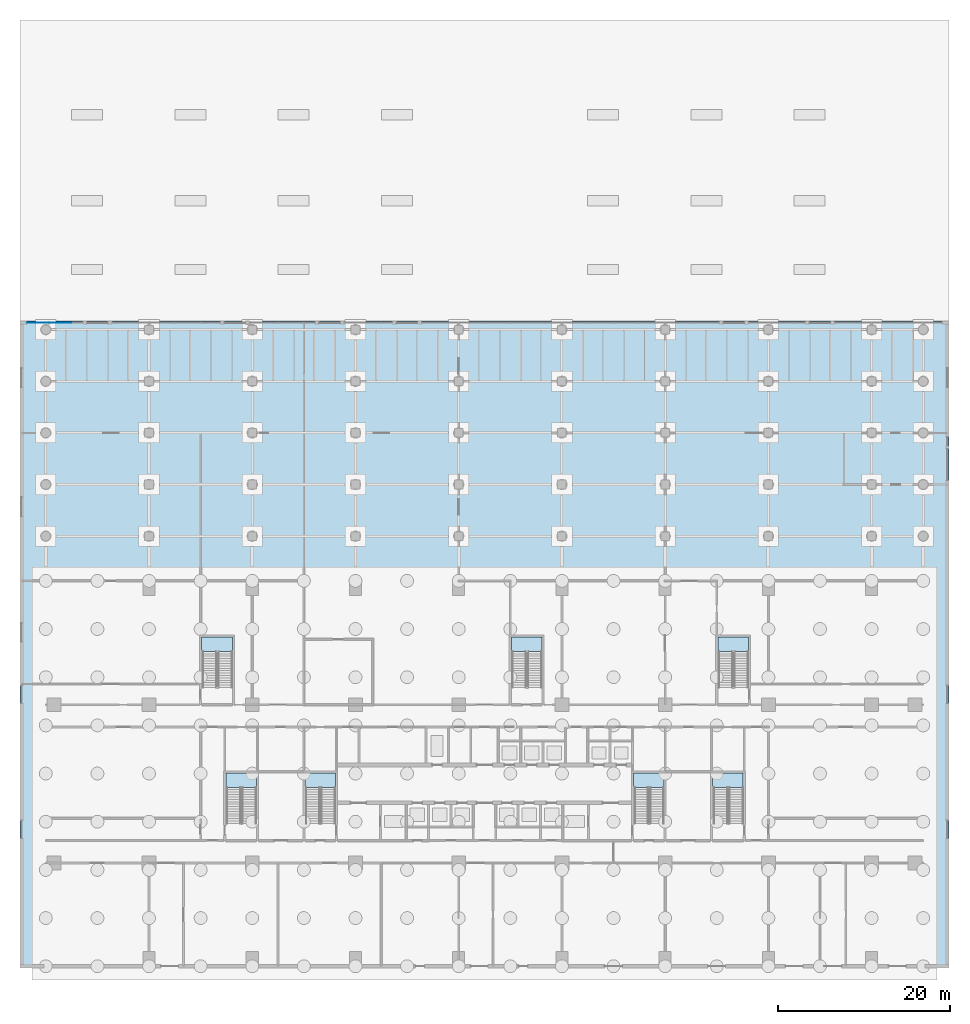
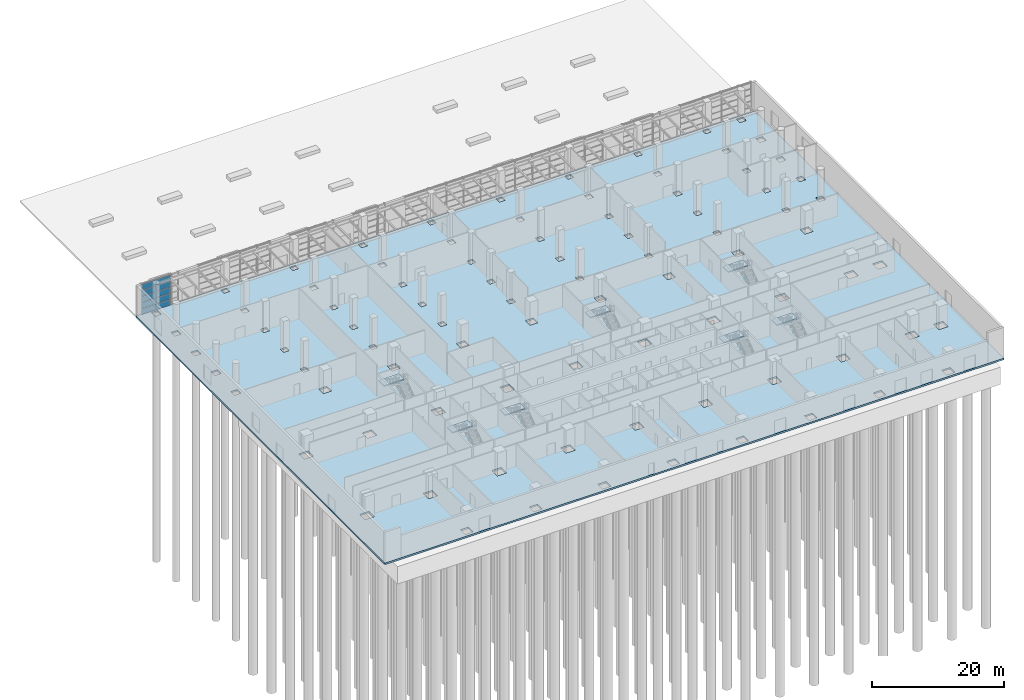
# One storey, part 8 of 27: 10 plates, 8 slabs, 8 elements without a shape of their own.
"""IFC4 building model written with IfcOpenShell, lengths in metres."""

from ifc_helpers import new_model, si_unit, direction, frame, origin, origin_2d, place, context, subcontext, project, spatial, polyline, rectangle, outline, extrude, source, transform, mapped, material, layer, layer_set, type_object, element, aggregate, save


model = new_model("IFC4")

# Units and contexts
model_context = context("Model", 3, precision=1e-05, world=origin(), true_north=direction((0.0, 1.0)))
body_context = subcontext(model_context, "Body", "Model", "MODEL_VIEW")
ifc_project = project(units=[si_unit("LENGTHUNIT", "METRE"), si_unit("AREAUNIT", "SQUARE_METRE"), si_unit("VOLUMEUNIT", "CUBIC_METRE"), si_unit("PLANEANGLEUNIT", "RADIAN"), si_unit("MASSUNIT", "GRAM", prefix="KILO")], contexts=[model_context])

# Site, building, storey
site_placement = place(None, origin())
site = spatial("IfcSite", under=ifc_project, at=site_placement, CompositionType="ELEMENT")
building_placement = place(site_placement, origin())
building = spatial("IfcBuilding", under=site, at=building_placement, Name="Poui Terraces", CompositionType="ELEMENT")
storey_placement = place(building_placement, origin())
storey = spatial("IfcBuildingStorey", under=building, at=storey_placement, Name="L00", CompositionType="ELEMENT", Elevation=0.0)

# Curtain wall, plates
ifc_material_1 = material(Name="Clear glass", Category="glass")
ifc_layer_1 = layer(ifc_material_1, 0.199951171875)
ifc_layer_set_1 = layer_set([ifc_layer_1], Name="Clear glass")
curtain_wall_type = type_object("IfcCurtainWallType", Name="CURTAIN WALL CW-A HEALTH CENTRE FRONTAGE", PredefinedType="NOTDEFINED", material=ifc_layer_set_1)
curtain_wall_placement = place(storey_placement, origin())
curtain_wall = element("IfcCurtainWall", 1, at=curtain_wall_placement, inside=storey, type_object=curtain_wall_type, Name="CW-A HEALTH CENTRE FRONTAGE", PredefinedType="NOTDEFINED")
ifc_layer_2 = layer(ifc_material_1, 0.031982421875)
ifc_layer_set_2 = layer_set([ifc_layer_2], Name="Clear glass")
plate_type = type_object("IfcPlateType", Name="CW-A GLASS PANEL 32", PredefinedType="CURTAIN_PANEL", material=ifc_layer_set_2)
plate_1_placement = place(storey_placement, frame((1.68505859375, 74.800048828125, 0.06005859375), z_axis=(0.0, 0.0, 1.0), x_axis=(-1.0, 0.0, 0.0)))
plate_1 = element("IfcPlate", 2, at=plate_1_placement, type_object=plate_type, Name="CW-A panel 1.1", PredefinedType="CURTAIN_PANEL", context=body_context, shape_type="SweptSolid", body=[
    extrude(rectangle(XDim=2.510009765625, YDim=0.031982421875, at=origin_2d()), origin(), (0.0, 0.0, 1.0), 1.0458984375),
])
plate_2_placement = place(storey_placement, frame((1.68505859375, 74.800048828125, 1.166015625), z_axis=(0.0, 0.0, 1.0), x_axis=(-1.0, 0.0, 0.0)))
plate_2 = element("IfcPlate", 3, at=plate_2_placement, type_object=plate_type, Name="CW-A panel 1.2", PredefinedType="CURTAIN_PANEL", context=body_context, shape_type="SweptSolid", body=[
    extrude(rectangle(XDim=2.510009765625, YDim=0.031982421875, at=origin_2d()), origin(), (0.0, 0.0, 1.0), 1.075927734375),
])
plate_3_placement = place(storey_placement, frame((1.68505859375, 74.800048828125, 2.30224609375), z_axis=(0.0, 0.0, 1.0), x_axis=(-1.0, 0.0, 0.0)))
plate_3 = element("IfcPlate", 4, at=plate_3_placement, type_object=plate_type, Name="CW-A panel 1.3", PredefinedType="CURTAIN_PANEL", context=body_context, shape_type="SweptSolid", body=[
    extrude(rectangle(XDim=2.510009765625, YDim=0.031982421875, at=origin_2d()), origin(), (0.0, 0.0, 1.0), 1.075927734375),
])
plate_4_placement = place(storey_placement, frame((1.68505859375, 74.800048828125, 3.43798828125), z_axis=(0.0, 0.0, 1.0), x_axis=(-1.0, 0.0, 0.0)))
plate_4 = element("IfcPlate", 5, at=plate_4_placement, type_object=plate_type, Name="CW-A panel 1.4", PredefinedType="CURTAIN_PANEL", context=body_context, shape_type="SweptSolid", body=[
    extrude(rectangle(XDim=2.510009765625, YDim=0.031982421875, at=origin_2d()), origin(), (0.0, 0.0, 1.0), 1.075927734375),
])
plate_5_placement = place(storey_placement, frame((1.68505859375, 74.800048828125, 4.573974609375), z_axis=(0.0, 0.0, 1.0), x_axis=(-1.0, 0.0, 0.0)))
plate_5 = element("IfcPlate", 6, at=plate_5_placement, type_object=plate_type, Name="CW-A panel 1.5", PredefinedType="CURTAIN_PANEL", context=body_context, shape_type="SweptSolid", body=[
    extrude(rectangle(XDim=2.510009765625, YDim=0.031982421875, at=origin_2d()), origin(), (0.0, 0.0, 1.0), 1.0458984375),
])
plate_6_placement = place(storey_placement, frame((-0.885009765625, 74.800048828125, 0.06005859375), z_axis=(0.0, 0.0, 1.0), x_axis=(-1.0, 0.0, 0.0)))
plate_6 = element("IfcPlate", 7, at=plate_6_placement, type_object=plate_type, Name="CW-A panel 2.1", PredefinedType="CURTAIN_PANEL", context=body_context, shape_type="SweptSolid", body=[
    extrude(rectangle(XDim=2.510009765625, YDim=0.031982421875, at=origin_2d()), origin(), (0.0, 0.0, 1.0), 1.0458984375),
])
plate_7_placement = place(storey_placement, frame((-0.885009765625, 74.800048828125, 1.166015625), z_axis=(0.0, 0.0, 1.0), x_axis=(-1.0, 0.0, 0.0)))
plate_7 = element("IfcPlate", 8, at=plate_7_placement, type_object=plate_type, Name="CW-A panel 2.2", PredefinedType="CURTAIN_PANEL", context=body_context, shape_type="SweptSolid", body=[
    extrude(rectangle(XDim=2.510009765625, YDim=0.031982421875, at=origin_2d()), origin(), (0.0, 0.0, 1.0), 1.075927734375),
])
plate_8_placement = place(storey_placement, frame((-0.885009765625, 74.800048828125, 2.30224609375), z_axis=(0.0, 0.0, 1.0), x_axis=(-1.0, 0.0, 0.0)))
plate_8 = element("IfcPlate", 9, at=plate_8_placement, type_object=plate_type, Name="CW-A panel 2.3", PredefinedType="CURTAIN_PANEL", context=body_context, shape_type="SweptSolid", body=[
    extrude(rectangle(XDim=2.510009765625, YDim=0.031982421875, at=origin_2d()), origin(), (0.0, 0.0, 1.0), 1.075927734375),
])
plate_9_placement = place(storey_placement, frame((-0.885009765625, 74.800048828125, 3.43798828125), z_axis=(0.0, 0.0, 1.0), x_axis=(-1.0, 0.0, 0.0)))
plate_9 = element("IfcPlate", 10, at=plate_9_placement, type_object=plate_type, Name="CW-A panel 2.4", PredefinedType="CURTAIN_PANEL", context=body_context, shape_type="SweptSolid", body=[
    extrude(rectangle(XDim=2.510009765625, YDim=0.031982421875, at=origin_2d()), origin(), (0.0, 0.0, 1.0), 1.075927734375),
])
plate_10_placement = place(storey_placement, frame((-0.885009765625, 74.800048828125, 4.573974609375), z_axis=(0.0, 0.0, 1.0), x_axis=(-1.0, 0.0, 0.0)))
plate_10 = element("IfcPlate", 11, at=plate_10_placement, type_object=plate_type, Name="CW-A panel 2.5", PredefinedType="CURTAIN_PANEL", context=body_context, shape_type="SweptSolid", body=[
    extrude(rectangle(XDim=2.510009765625, YDim=0.031982421875, at=origin_2d()), origin(), (0.0, 0.0, 1.0), 1.0458984375),
])
aggregate(curtain_wall, [plate_1, plate_2, plate_3, plate_4, plate_5, plate_6, plate_7, plate_8, plate_9, plate_10])

# Stair, slab
ifc_material_2 = material(Name="Concrete 80 MPa", Category="concrete")
stair_type = type_object("IfcStairType", Name="EXIT STAIR 1650 80 MPA", PredefinedType="HALF_TURN_STAIR", material=ifc_material_2)
stair_1_placement = place(storey_placement, origin())
stair_1 = element("IfcStair", 12, at=stair_1_placement, inside=storey, type_object=stair_type, Name="L00 CORE STAIR EAST", PredefinedType="HALF_TURN_STAIR")
ifc_layer_3 = layer(ifc_material_2, 0.199951171875)
ifc_layer_set_3 = layer_set([ifc_layer_3], Name="Concrete 80 MPa")
slab_type_1 = type_object("IfcSlabType", Name="STAIR LANDING 200 80 MPA", PredefinedType="LANDING", material=ifc_layer_set_3)
slab_1_placement = place(storey_placement, frame((0.0, 0.0, 2.7998046875)))
slab_1 = element("IfcSlab", 13, at=slab_1_placement, type_object=slab_type_1, Name="ST-CE landing 1", PredefinedType="LANDING", context=body_context, shape_type="SweptSolid", body=[
    extrude(outline(polyline([(68.324951171875, 20.800048828125), (71.875, 20.800048828125), (71.875, 22.47509765625), (68.324951171875, 22.47509765625), (68.324951171875, 20.800048828125)])), origin(), (0.0, 0.0, 1.0), 0.2001953125),
])
aggregate(stair_1, [slab_1])

stair_2_placement = place(storey_placement, origin())
stair_2 = element("IfcStair", 14, at=stair_2_placement, inside=storey, type_object=stair_type, Name="L00 CORE STAIR WEST", PredefinedType="HALF_TURN_STAIR")
slab_2_placement = place(storey_placement, frame((0.0, 0.0, 2.7998046875)))
slab_2 = element("IfcSlab", 15, at=slab_2_placement, type_object=slab_type_1, Name="ST-CW landing 1", PredefinedType="LANDING", context=body_context, shape_type="SweptSolid", body=[
    extrude(outline(polyline([(30.125, 20.800048828125), (33.675048828125, 20.800048828125), (33.675048828125, 22.47509765625), (30.125, 22.47509765625), (30.125, 20.800048828125)])), origin(), (0.0, 0.0, 1.0), 0.2001953125),
])
aggregate(stair_2, [slab_2])

stair_3_placement = place(storey_placement, origin())
stair_3 = element("IfcStair", 16, at=stair_3_placement, inside=storey, type_object=stair_type, Name="L00 TIP STAIR EAST", PredefinedType="HALF_TURN_STAIR")
slab_3_placement = place(storey_placement, frame((0.0, 0.0, 2.7998046875)))
slab_3 = element("IfcSlab", 17, at=slab_3_placement, type_object=slab_type_1, Name="ST-E landing 1", PredefinedType="LANDING", context=body_context, shape_type="SweptSolid", body=[
    extrude(outline(polyline([(77.52490234375, 20.800048828125), (81.074951171875, 20.800048828125), (81.074951171875, 22.47509765625), (77.52490234375, 22.47509765625), (77.52490234375, 20.800048828125)])), origin(), (0.0, 0.0, 1.0), 0.2001953125),
])
aggregate(stair_3, [slab_3])

stair_4_placement = place(storey_placement, origin())
stair_4 = element("IfcStair", 18, at=stair_4_placement, inside=storey, type_object=stair_type, Name="L00 TIP STAIR WEST", PredefinedType="HALF_TURN_STAIR")
slab_4_placement = place(storey_placement, frame((0.0, 0.0, 2.7998046875)))
slab_4 = element("IfcSlab", 19, at=slab_4_placement, type_object=slab_type_1, Name="ST-W landing 1", PredefinedType="LANDING", context=body_context, shape_type="SweptSolid", body=[
    extrude(outline(polyline([(20.925048828125, 20.800048828125), (24.47509765625, 20.800048828125), (24.47509765625, 22.47509765625), (20.925048828125, 22.47509765625), (20.925048828125, 20.800048828125)])), origin(), (0.0, 0.0, 1.0), 0.2001953125),
])
aggregate(stair_4, [slab_4])

stair_5_placement = place(storey_placement, origin())
stair_5 = element("IfcStair", 20, at=stair_5_placement, inside=storey, type_object=stair_type, Name="L00 PODIUM STAIR 1", PredefinedType="HALF_TURN_STAIR")
slab_5_placement = place(storey_placement, frame((0.0, 0.0, 2.7998046875)))
slab_5 = element("IfcSlab", 21, at=slab_5_placement, type_object=slab_type_1, Name="ST-N1 landing 1", PredefinedType="LANDING", context=body_context, shape_type="SweptSolid", body=[
    extrude(outline(polyline([(18.125, 36.60009765625), (21.675048828125, 36.60009765625), (21.675048828125, 38.27490234375), (18.125, 38.27490234375), (18.125, 36.60009765625)])), origin(), (0.0, 0.0, 1.0), 0.2001953125),
])
aggregate(stair_5, [slab_5])

stair_6_placement = place(storey_placement, origin())
stair_6 = element("IfcStair", 22, at=stair_6_placement, inside=storey, type_object=stair_type, Name="L00 PODIUM STAIR 2", PredefinedType="HALF_TURN_STAIR")
slab_6_placement = place(storey_placement, frame((0.0, 0.0, 2.7998046875)))
slab_6 = element("IfcSlab", 23, at=slab_6_placement, type_object=slab_type_1, Name="ST-N2 landing 1", PredefinedType="LANDING", context=body_context, shape_type="SweptSolid", body=[
    extrude(outline(polyline([(78.125, 36.60009765625), (81.675048828125, 36.60009765625), (81.675048828125, 38.27490234375), (78.125, 38.27490234375), (78.125, 36.60009765625)])), origin(), (0.0, 0.0, 1.0), 0.2001953125),
])
aggregate(stair_6, [slab_6])

stair_7_placement = place(storey_placement, origin())
stair_7 = element("IfcStair", 24, at=stair_7_placement, inside=storey, type_object=stair_type, Name="L00 PODIUM STAIR 3", PredefinedType="HALF_TURN_STAIR")
slab_7_placement = place(storey_placement, frame((0.0, 0.0, 2.7998046875)))
slab_7 = element("IfcSlab", 25, at=slab_7_placement, type_object=slab_type_1, Name="ST-N3 landing 1", PredefinedType="LANDING", context=body_context, shape_type="SweptSolid", body=[
    extrude(outline(polyline([(54.125, 36.60009765625), (57.675048828125, 36.60009765625), (57.675048828125, 38.27490234375), (54.125, 38.27490234375), (54.125, 36.60009765625)])), origin(), (0.0, 0.0, 1.0), 0.2001953125),
])
aggregate(stair_7, [slab_7])

# Slab
ifc_material_3 = material(Name="Concrete 40 MPa", Category="concrete")
ifc_layer_4 = layer(ifc_material_3, 0.300048828125)
ifc_layer_set_4 = layer_set([ifc_layer_4], Name="Concrete 40 MPa")
slab_type_2 = type_object("IfcSlabType", Name="GROUND SLAB 300", PredefinedType="BASESLAB", material=ifc_layer_set_4)
shared_shape = source(origin(), body_context, "Body", "SweptSolid", [
    extrude(outline(polyline([(0.0, 0.0), (108.0, 0.0), (108.0, 75.199951171875), (0.0, 75.199951171875), (0.0, 0.0)]), holes=[polyline([(26.300048828125, 1.89990234375), (27.699951171875, 1.89990234375), (27.699951171875, 0.5), (26.300048828125, 0.5), (26.300048828125, 1.89990234375)]), polyline([(14.300048828125, 1.89990234375), (15.699951171875, 1.89990234375), (15.699951171875, 0.5), (14.300048828125, 0.5), (14.300048828125, 1.89990234375)]), polyline([(3.14990234375, 13.0), (4.75, 13.0), (4.75, 11.39990234375), (3.14990234375, 11.39990234375), (3.14990234375, 13.0)]), polyline([(15.800048828125, 13.0), (15.800048828125, 11.39990234375), (14.199951171875, 11.39990234375), (14.199951171875, 13.0), (15.800048828125, 13.0)]), polyline([(27.800048828125, 13.0), (27.800048828125, 11.39990234375), (26.199951171875, 11.39990234375), (26.199951171875, 13.0), (27.800048828125, 13.0)]), polyline([(3.14990234375, 31.39990234375), (4.75, 31.39990234375), (4.75, 29.800048828125), (3.14990234375, 29.800048828125), (3.14990234375, 31.39990234375)]), polyline([(26.199951171875, 31.39990234375), (27.800048828125, 31.39990234375), (27.800048828125, 29.800048828125), (26.199951171875, 29.800048828125), (26.199951171875, 31.39990234375)]), polyline([(14.199951171875, 31.39990234375), (15.800048828125, 31.39990234375), (15.800048828125, 29.800048828125), (14.199951171875, 29.800048828125), (14.199951171875, 31.39990234375)]), polyline([(27.699951171875, 44.699951171875), (27.699951171875, 43.300048828125), (26.300048828125, 43.300048828125), (26.300048828125, 44.699951171875), (27.699951171875, 44.699951171875)]), polyline([(15.699951171875, 44.699951171875), (15.699951171875, 43.300048828125), (14.300048828125, 43.300048828125), (14.300048828125, 44.699951171875), (15.699951171875, 44.699951171875)]), polyline([(26.5, 50.699951171875), (27.5, 50.699951171875), (27.5, 49.699951171875), (26.5, 49.699951171875), (26.5, 50.699951171875)]), polyline([(38.5, 50.699951171875), (39.5, 50.699951171875), (39.5, 49.699951171875), (38.5, 49.699951171875), (38.5, 50.699951171875)]), polyline([(2.449951171875, 50.75), (3.550048828125, 50.75), (3.550048828125, 49.64990234375), (2.449951171875, 49.64990234375), (2.449951171875, 50.75)]), polyline([(15.5, 50.699951171875), (15.5, 49.699951171875), (14.5, 49.699951171875), (14.5, 50.699951171875), (15.5, 50.699951171875)]), polyline([(27.5, 56.699951171875), (27.5, 55.699951171875), (26.5, 55.699951171875), (26.5, 56.699951171875), (27.5, 56.699951171875)]), polyline([(14.5, 56.699951171875), (15.5, 56.699951171875), (15.5, 55.699951171875), (14.5, 55.699951171875), (14.5, 56.699951171875)]), polyline([(39.5, 56.699951171875), (39.5, 55.699951171875), (38.5, 55.699951171875), (38.5, 56.699951171875), (39.5, 56.699951171875)]), polyline([(3.550048828125, 56.75), (3.550048828125, 55.64990234375), (2.449951171875, 55.64990234375), (2.449951171875, 56.75), (3.550048828125, 56.75)]), polyline([(2.449951171875, 62.75), (3.550048828125, 62.75), (3.550048828125, 61.64990234375), (2.449951171875, 61.64990234375), (2.449951171875, 62.75)]), polyline([(27.5, 62.699951171875), (27.5, 61.699951171875), (26.5, 61.699951171875), (26.5, 62.699951171875), (27.5, 62.699951171875)]), polyline([(15.5, 62.699951171875), (15.5, 61.699951171875), (14.5, 61.699951171875), (14.5, 62.699951171875), (15.5, 62.699951171875)]), polyline([(26.5, 68.699951171875), (27.5, 68.699951171875), (27.5, 67.699951171875), (26.5, 67.699951171875), (26.5, 68.699951171875)]), polyline([(14.5, 68.699951171875), (15.5, 68.699951171875), (15.5, 67.699951171875), (14.5, 67.699951171875), (14.5, 68.699951171875)]), polyline([(38.5, 68.699951171875), (39.5, 68.699951171875), (39.5, 67.699951171875), (38.5, 67.699951171875), (38.5, 68.699951171875)]), polyline([(3.550048828125, 68.75), (3.550048828125, 67.64990234375), (2.449951171875, 67.64990234375), (2.449951171875, 68.75), (3.550048828125, 68.75)]), polyline([(15.5, 74.699951171875), (15.5, 73.699951171875), (14.5, 73.699951171875), (14.5, 74.699951171875), (15.5, 74.699951171875)]), polyline([(26.5, 74.699951171875), (27.5, 74.699951171875), (27.5, 73.699951171875), (26.5, 73.699951171875), (26.5, 74.699951171875)]), polyline([(39.5, 74.699951171875), (39.5, 73.699951171875), (38.5, 73.699951171875), (38.5, 74.699951171875), (39.5, 74.699951171875)]), polyline([(3.550048828125, 74.75), (3.550048828125, 73.64990234375), (2.449951171875, 73.64990234375), (2.449951171875, 74.75), (3.550048828125, 74.75)]), polyline([(38.300048828125, 1.89990234375), (39.699951171875, 1.89990234375), (39.699951171875, 0.5), (38.300048828125, 0.5), (38.300048828125, 1.89990234375)]), polyline([(63.699951171875, 1.89990234375), (63.699951171875, 0.5), (62.300048828125, 0.5), (62.300048828125, 1.89990234375), (63.699951171875, 1.89990234375)]), polyline([(51.699951171875, 1.89990234375), (51.699951171875, 0.5), (50.300048828125, 0.5), (50.300048828125, 1.89990234375), (51.699951171875, 1.89990234375)]), polyline([(38.199951171875, 13.0), (39.800048828125, 13.0), (39.800048828125, 11.39990234375), (38.199951171875, 11.39990234375), (38.199951171875, 13.0)]), polyline([(62.199951171875, 13.0), (63.800048828125, 13.0), (63.800048828125, 11.39990234375), (62.199951171875, 11.39990234375), (62.199951171875, 13.0)]), polyline([(50.199951171875, 13.0), (51.800048828125, 13.0), (51.800048828125, 11.39990234375), (50.199951171875, 11.39990234375), (50.199951171875, 13.0)]), polyline([(39.800048828125, 31.39990234375), (39.800048828125, 29.800048828125), (38.199951171875, 29.800048828125), (38.199951171875, 31.39990234375), (39.800048828125, 31.39990234375)]), polyline([(63.800048828125, 31.39990234375), (63.800048828125, 29.800048828125), (62.199951171875, 29.800048828125), (62.199951171875, 31.39990234375), (63.800048828125, 31.39990234375)]), polyline([(50.199951171875, 31.39990234375), (51.800048828125, 31.39990234375), (51.800048828125, 29.800048828125), (50.199951171875, 29.800048828125), (50.199951171875, 31.39990234375)]), polyline([(75.699951171875, 44.699951171875), (75.699951171875, 43.300048828125), (74.300048828125, 43.300048828125), (74.300048828125, 44.699951171875), (75.699951171875, 44.699951171875)]), polyline([(63.699951171875, 44.699951171875), (63.699951171875, 43.300048828125), (62.300048828125, 43.300048828125), (62.300048828125, 44.699951171875), (63.699951171875, 44.699951171875)]), polyline([(50.300048828125, 44.699951171875), (51.699951171875, 44.699951171875), (51.699951171875, 43.300048828125), (50.300048828125, 43.300048828125), (50.300048828125, 44.699951171875)]), polyline([(39.699951171875, 44.699951171875), (39.699951171875, 43.300048828125), (38.300048828125, 43.300048828125), (38.300048828125, 44.699951171875), (39.699951171875, 44.699951171875)]), polyline([(51.5, 50.699951171875), (51.5, 49.699951171875), (50.5, 49.699951171875), (50.5, 50.699951171875), (51.5, 50.699951171875)]), polyline([(74.5, 50.699951171875), (75.5, 50.699951171875), (75.5, 49.699951171875), (74.5, 49.699951171875), (74.5, 50.699951171875)]), polyline([(62.5, 50.699951171875), (63.5, 50.699951171875), (63.5, 49.699951171875), (62.5, 49.699951171875), (62.5, 50.699951171875)]), polyline([(62.5, 56.699951171875), (63.5, 56.699951171875), (63.5, 55.699951171875), (62.5, 55.699951171875), (62.5, 56.699951171875)]), polyline([(75.5, 56.699951171875), (75.5, 55.699951171875), (74.5, 55.699951171875), (74.5, 56.699951171875), (75.5, 56.699951171875)]), polyline([(51.5, 56.699951171875), (51.5, 55.699951171875), (50.5, 55.699951171875), (50.5, 56.699951171875), (51.5, 56.699951171875)]), polyline([(50.5, 62.699951171875), (51.5, 62.699951171875), (51.5, 61.699951171875), (50.5, 61.699951171875), (50.5, 62.699951171875)]), polyline([(62.5, 62.699951171875), (63.5, 62.699951171875), (63.5, 61.699951171875), (62.5, 61.699951171875), (62.5, 62.699951171875)]), polyline([(74.5, 62.699951171875), (75.5, 62.699951171875), (75.5, 61.699951171875), (74.5, 61.699951171875), (74.5, 62.699951171875)]), polyline([(39.5, 62.699951171875), (39.5, 61.699951171875), (38.5, 61.699951171875), (38.5, 62.699951171875), (39.5, 62.699951171875)]), polyline([(63.5, 68.699951171875), (63.5, 67.699951171875), (62.5, 67.699951171875), (62.5, 68.699951171875), (63.5, 68.699951171875)]), polyline([(50.5, 68.699951171875), (51.5, 68.699951171875), (51.5, 67.699951171875), (50.5, 67.699951171875), (50.5, 68.699951171875)]), polyline([(74.5, 68.699951171875), (75.5, 68.699951171875), (75.5, 67.699951171875), (74.5, 67.699951171875), (74.5, 68.699951171875)]), polyline([(62.5, 74.699951171875), (63.5, 74.699951171875), (63.5, 73.699951171875), (62.5, 73.699951171875), (62.5, 74.699951171875)]), polyline([(51.5, 74.699951171875), (51.5, 73.699951171875), (50.5, 73.699951171875), (50.5, 74.699951171875), (51.5, 74.699951171875)]), polyline([(75.5, 74.699951171875), (75.5, 73.699951171875), (74.5, 73.699951171875), (74.5, 74.699951171875), (75.5, 74.699951171875)]), polyline([(74.300048828125, 1.89990234375), (75.699951171875, 1.89990234375), (75.699951171875, 0.5), (74.300048828125, 0.5), (74.300048828125, 1.89990234375)]), polyline([(99.699951171875, 1.89990234375), (99.699951171875, 0.5), (98.300048828125, 0.5), (98.300048828125, 1.89990234375), (99.699951171875, 1.89990234375)]), polyline([(87.699951171875, 1.89990234375), (87.699951171875, 0.5), (86.300048828125, 0.5), (86.300048828125, 1.89990234375), (87.699951171875, 1.89990234375)]), polyline([(74.199951171875, 13.0), (75.800048828125, 13.0), (75.800048828125, 11.39990234375), (74.199951171875, 11.39990234375), (74.199951171875, 13.0)]), polyline([(99.800048828125, 13.0), (99.800048828125, 11.39990234375), (98.199951171875, 11.39990234375), (98.199951171875, 13.0), (99.800048828125, 13.0)]), polyline([(104.85009765625, 13.0), (104.85009765625, 11.39990234375), (103.25, 11.39990234375), (103.25, 13.0), (104.85009765625, 13.0)]), polyline([(86.199951171875, 13.0), (87.800048828125, 13.0), (87.800048828125, 11.39990234375), (86.199951171875, 11.39990234375), (86.199951171875, 13.0)]), polyline([(74.199951171875, 31.39990234375), (75.800048828125, 31.39990234375), (75.800048828125, 29.800048828125), (74.199951171875, 29.800048828125), (74.199951171875, 31.39990234375)]), polyline([(86.199951171875, 31.39990234375), (87.800048828125, 31.39990234375), (87.800048828125, 29.800048828125), (86.199951171875, 29.800048828125), (86.199951171875, 31.39990234375)]), polyline([(104.85009765625, 31.39990234375), (104.85009765625, 29.800048828125), (103.25, 29.800048828125), (103.25, 31.39990234375), (104.85009765625, 31.39990234375)]), polyline([(99.800048828125, 31.39990234375), (99.800048828125, 29.800048828125), (98.199951171875, 29.800048828125), (98.199951171875, 31.39990234375), (99.800048828125, 31.39990234375)]), polyline([(86.300048828125, 44.699951171875), (87.699951171875, 44.699951171875), (87.699951171875, 43.300048828125), (86.300048828125, 43.300048828125), (86.300048828125, 44.699951171875)]), polyline([(99.699951171875, 44.699951171875), (99.699951171875, 43.300048828125), (98.300048828125, 43.300048828125), (98.300048828125, 44.699951171875), (99.699951171875, 44.699951171875)]), polyline([(105.550048828125, 50.75), (105.550048828125, 49.64990234375), (104.449951171875, 49.64990234375), (104.449951171875, 50.75), (105.550048828125, 50.75)]), polyline([(98.5, 50.699951171875), (99.5, 50.699951171875), (99.5, 49.699951171875), (98.5, 49.699951171875), (98.5, 50.699951171875)]), polyline([(87.5, 50.699951171875), (87.5, 49.699951171875), (86.5, 49.699951171875), (86.5, 50.699951171875), (87.5, 50.699951171875)]), polyline([(105.550048828125, 56.75), (105.550048828125, 55.64990234375), (104.449951171875, 55.64990234375), (104.449951171875, 56.75), (105.550048828125, 56.75)]), polyline([(98.5, 56.699951171875), (99.5, 56.699951171875), (99.5, 55.699951171875), (98.5, 55.699951171875), (98.5, 56.699951171875)]), polyline([(86.5, 56.699951171875), (87.5, 56.699951171875), (87.5, 55.699951171875), (86.5, 55.699951171875), (86.5, 56.699951171875)]), polyline([(104.449951171875, 62.75), (105.550048828125, 62.75), (105.550048828125, 61.64990234375), (104.449951171875, 61.64990234375), (104.449951171875, 62.75)]), polyline([(99.5, 62.699951171875), (99.5, 61.699951171875), (98.5, 61.699951171875), (98.5, 62.699951171875), (99.5, 62.699951171875)]), polyline([(87.5, 62.699951171875), (87.5, 61.699951171875), (86.5, 61.699951171875), (86.5, 62.699951171875), (87.5, 62.699951171875)]), polyline([(98.5, 68.699951171875), (99.5, 68.699951171875), (99.5, 67.699951171875), (98.5, 67.699951171875), (98.5, 68.699951171875)]), polyline([(87.5, 68.699951171875), (87.5, 67.699951171875), (86.5, 67.699951171875), (86.5, 68.699951171875), (87.5, 68.699951171875)]), polyline([(105.550048828125, 68.75), (105.550048828125, 67.64990234375), (104.449951171875, 67.64990234375), (104.449951171875, 68.75), (105.550048828125, 68.75)]), polyline([(98.5, 74.699951171875), (99.5, 74.699951171875), (99.5, 73.699951171875), (98.5, 73.699951171875), (98.5, 74.699951171875)]), polyline([(105.550048828125, 74.75), (105.550048828125, 73.64990234375), (104.449951171875, 73.64990234375), (104.449951171875, 74.75), (105.550048828125, 74.75)]), polyline([(87.5, 74.699951171875), (87.5, 73.699951171875), (86.5, 73.699951171875), (86.5, 74.699951171875), (87.5, 74.699951171875)])]), origin(), (0.0, 0.0, 1.0), 0.300048828125),
])
slab_8_placement = place(storey_placement, frame((-3.0, -0.199951171875, -0.300048828125)))
element("IfcSlab", 26, at=slab_8_placement, inside=storey, type_object=slab_type_2, Name="GROUND SLAB", PredefinedType="BASESLAB", context=body_context, shape_type="MappedRepresentation", body=[
    mapped(shared_shape, transform((0.0, 0.0, 0.0))),
])

save(model, "model.ifc")
